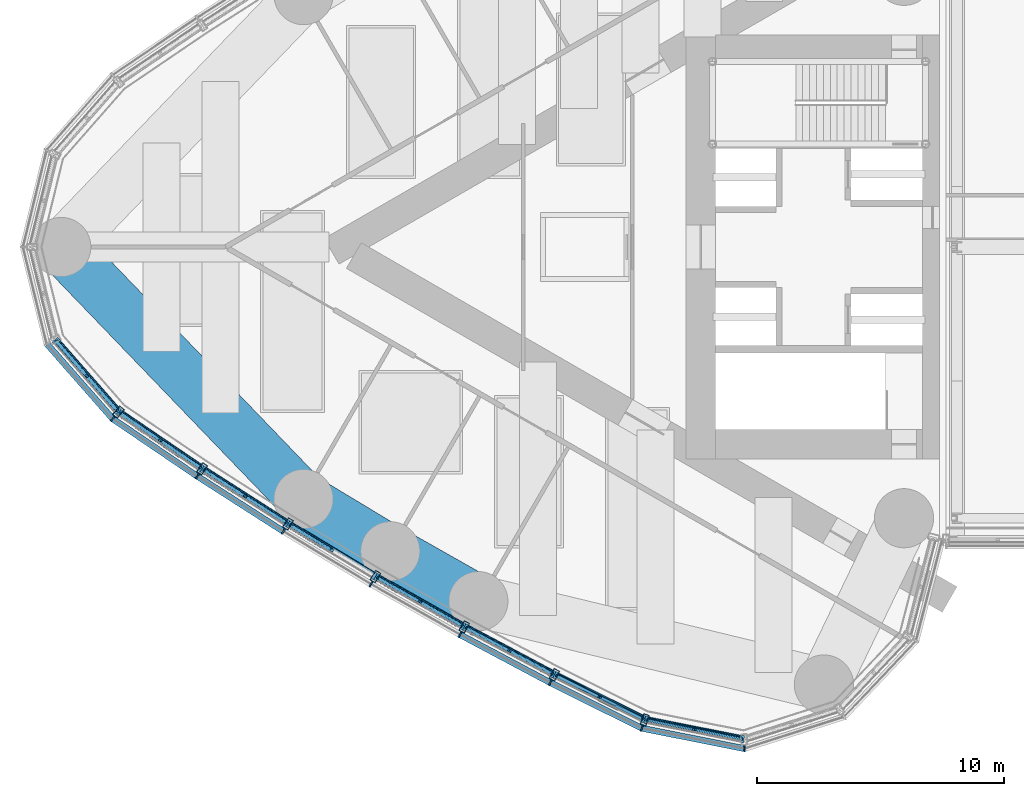
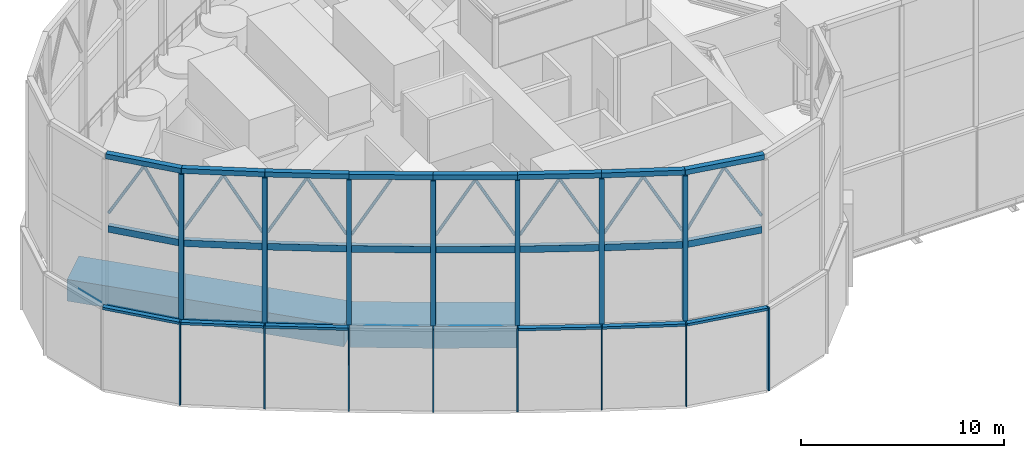
# One storey, part 7 of 33: 52 members, 3 beams, 2 elements without a shape of their own.
"""IFC4 building model written with IfcOpenShell, lengths in metres."""

from ifc_helpers import new_model, si_unit, direction, frame, origin, origin_2d, place, context, subcontext, project, spatial, rectangle, hollow_rectangle, hollow_circle, extrude, material, material_profile, profile_set, type_object, element, aggregate, save


model = new_model("IFC4")

# Units and contexts
model_context = context("Model", 3, precision=1e-05, world=origin(), true_north=direction((0.0, 1.0)))
body_context = subcontext(model_context, "Body", "Model", "MODEL_VIEW")
ifc_project = project(units=[si_unit("LENGTHUNIT", "METRE"), si_unit("AREAUNIT", "SQUARE_METRE"), si_unit("VOLUMEUNIT", "CUBIC_METRE"), si_unit("PLANEANGLEUNIT", "RADIAN"), si_unit("MASSUNIT", "GRAM", prefix="KILO")], contexts=[model_context])

# Site, building, storey
site_placement = place(None, origin())
site = spatial("IfcSite", under=ifc_project, at=site_placement, CompositionType="ELEMENT")
building_placement = place(site_placement, origin())
building = spatial("IfcBuilding", under=site, at=building_placement, Name="Lancet Gate Hotel", CompositionType="ELEMENT")
storey_placement = place(building_placement, frame((0.0, 0.0, 268.300048828125)))
storey = spatial("IfcBuildingStorey", under=building, at=storey_placement, Name="L70", CompositionType="ELEMENT", Elevation=268.300048828125)

# Curtain wall, members
ifc_material_1 = material(Name="Aluminium curtain wall", Category="aluminium")
curtain_wall_type_1 = type_object("IfcCurtainWallType", Name="Lantern crown glazing", PredefinedType="USERDEFINED", material=ifc_material_1)
curtain_wall_1_placement = place(storey_placement, origin())
curtain_wall_1 = element("IfcCurtainWall", 1, at=curtain_wall_1_placement, inside=storey, type_object=curtain_wall_type_1, Name="T1 L70 curtain wall 1", ObjectType="LANTERN GLAZING", PredefinedType="USERDEFINED")
ifc_material_2 = material(Name="Aluminium mullion", Category="aluminium")
ifc_material_profile_1 = material_profile(ifc_material_2, rectangle(XDim=0.06494140625, YDim=0.25, at=origin_2d()), Name="MULLION 65x250")
ifc_profile_set_1 = profile_set([ifc_material_profile_1], Name="Aluminium mullion")
member_type_1 = type_object("IfcMemberType", Name="Aluminium mullion 65x250", PredefinedType="MULLION", material=ifc_profile_set_1)
member_1_placement = place(storey_placement, frame((-61.15283203125, -6.967529296875, 0.0), z_axis=(0.0, 0.0, 1.0), x_axis=(0.750715604757, -0.660625522345, 0.0)))
member_1 = element("IfcMember", 2, at=member_1_placement, type_object=member_type_1, Name="T1 L70 curtain wall 1 mullion 15", PredefinedType="MULLION", context=body_context, shape_type="SweptSolid", body=[
    extrude(rectangle(XDim=0.06494140625, YDim=0.25, at=origin_2d()), origin(), (0.0, 0.0, 1.0), 5.0),
])
member_2_placement = place(storey_placement, frame((-57.72021484375, -9.298095703125, 0.0), z_axis=(0.0, 0.0, 1.0), x_axis=(0.834827178542, -0.550512108829, 0.0)))
member_2 = element("IfcMember", 3, at=member_2_placement, type_object=member_type_1, Name="T1 L70 curtain wall 1 mullion 16", PredefinedType="MULLION", context=body_context, shape_type="SweptSolid", body=[
    extrude(rectangle(XDim=0.06494140625, YDim=0.25, at=origin_2d()), origin(), (0.0, 0.0, 1.0), 5.0),
])
member_3_placement = place(storey_placement, frame((-54.225830078125, -11.535400390625, 0.0), z_axis=(0.0, 0.0, 1.0), x_axis=(0.849342388216, -0.527842313176, 0.0)))
member_3 = element("IfcMember", 4, at=member_3_placement, type_object=member_type_1, Name="T1 L70 curtain wall 1 mullion 17", PredefinedType="MULLION", context=body_context, shape_type="SweptSolid", body=[
    extrude(rectangle(XDim=0.06494140625, YDim=0.25, at=origin_2d()), origin(), (0.0, 0.0, 1.0), 5.0),
])
member_4_placement = place(storey_placement, frame((-50.67236328125, -13.677978515625, 0.0), z_axis=(0.0, 0.0, 1.0), x_axis=(0.863242155108, -0.504790037189, 0.0)))
member_4 = element("IfcMember", 5, at=member_4_placement, type_object=member_type_1, Name="T1 L70 curtain wall 1 mullion 18", PredefinedType="MULLION", context=body_context, shape_type="SweptSolid", body=[
    extrude(rectangle(XDim=0.06494140625, YDim=0.25, at=origin_2d()), origin(), (0.0, 0.0, 1.0), 5.0),
])
member_5_placement = place(storey_placement, frame((-47.062744140625, -15.72412109375, 0.0), z_axis=(0.0, 0.0, 1.0), x_axis=(0.876516407283, -0.481371984815, 0.0)))
member_5 = element("IfcMember", 6, at=member_5_placement, type_object=member_type_1, Name="T1 L70 curtain wall 1 mullion 19", PredefinedType="MULLION", context=body_context, shape_type="SweptSolid", body=[
    extrude(rectangle(XDim=0.06494140625, YDim=0.25, at=origin_2d()), origin(), (0.0, 0.0, 1.0), 5.0),
])
member_6_placement = place(storey_placement, frame((-43.3994140625, -17.67236328125, 0.0), z_axis=(0.0, 0.0, 1.0), x_axis=(0.889155526065, -0.457605125046, 0.0)))
member_6 = element("IfcMember", 7, at=member_6_placement, type_object=member_type_1, Name="T1 L70 curtain wall 1 mullion 20", PredefinedType="MULLION", context=body_context, shape_type="SweptSolid", body=[
    extrude(rectangle(XDim=0.06494140625, YDim=0.25, at=origin_2d()), origin(), (0.0, 0.0, 1.0), 5.0),
])
member_7_placement = place(storey_placement, frame((-39.684814453125, -19.521240234375, 0.0), z_axis=(0.0, 0.0, 1.0), x_axis=(0.946887706423, -0.321564412561, 0.0)))
member_7 = element("IfcMember", 8, at=member_7_placement, type_object=member_type_1, Name="T1 L70 curtain wall 1 mullion 21", PredefinedType="MULLION", context=body_context, shape_type="SweptSolid", body=[
    extrude(rectangle(XDim=0.06494140625, YDim=0.25, at=origin_2d()), origin(), (0.0, 0.0, 1.0), 5.0),
])
member_8_placement = place(storey_placement, frame((-35.520751953125, -20.347900390625, 0.0), z_axis=(0.0, 0.0, 1.0), x_axis=(0.998409168318, 0.056383797491, 0.0)))
member_8 = element("IfcMember", 9, at=member_8_placement, type_object=member_type_1, Name="T1 L70 curtain wall 1 mullion 22", PredefinedType="MULLION", context=body_context, shape_type="SweptSolid", body=[
    extrude(rectangle(XDim=0.06494140625, YDim=0.25, at=origin_2d()), origin(), (0.0, 0.0, 1.0), 5.0),
])
ifc_material_3 = material(Name="Aluminium transom", Category="aluminium")
ifc_material_profile_2 = material_profile(ifc_material_3, rectangle(XDim=0.25, YDim=0.14990234375, at=origin_2d()), Name="TRANSOM 250x150")
ifc_profile_set_2 = profile_set([ifc_material_profile_2], Name="Aluminium transom")
member_type_2 = type_object("IfcMemberType", Name="Aluminium transom 250x150", PredefinedType="USERDEFINED", material=ifc_profile_set_2)
member_9_placement = place(storey_placement, frame((-63.800537109375, -3.952880859375, 4.925048828125), z_axis=(0.659893258593, -0.751359359603, 0.0), x_axis=(0.751359359603, 0.659893258593, 0.0)))
member_9 = element("IfcMember", 10, at=member_9_placement, type_object=member_type_2, Name="T1 L70 curtain wall 1 transom 14", ObjectType="TRANSOM", PredefinedType="USERDEFINED", context=body_context, shape_type="SweptSolid", body=[
    extrude(rectangle(XDim=0.25, YDim=0.14990234375, at=origin_2d()), origin(), (0.0, 0.0, 1.0), 3.979736328125),
])
member_10_placement = place(storey_placement, frame((-61.1259765625, -6.98583984375, 4.925048828125), z_axis=(0.827348780456, -0.561688521761, 0.0), x_axis=(0.561688521761, 0.827348780456, 0.0)))
member_10 = element("IfcMember", 11, at=member_10_placement, type_object=member_type_2, Name="T1 L70 curtain wall 1 transom 15", ObjectType="TRANSOM", PredefinedType="USERDEFINED", context=body_context, shape_type="SweptSolid", body=[
    extrude(rectangle(XDim=0.25, YDim=0.14990234375, at=origin_2d()), origin(), (0.0, 0.0, 1.0), 4.083984375),
])
member_11_placement = place(storey_placement, frame((-57.692626953125, -9.315673828125, 4.925048828125), z_axis=(0.842144358733, -0.539252147937, 0.0), x_axis=(0.539252147937, 0.842144358733, 0.0)))
member_11 = element("IfcMember", 12, at=member_11_placement, type_object=member_type_2, Name="T1 L70 curtain wall 1 transom 16", ObjectType="TRANSOM", PredefinedType="USERDEFINED", context=body_context, shape_type="SweptSolid", body=[
    extrude(rectangle(XDim=0.25, YDim=0.14990234375, at=origin_2d()), origin(), (0.0, 0.0, 1.0), 4.084228515625),
])
member_12_placement = place(storey_placement, frame((-47.0341796875, -15.739501953125, 4.925048828125), z_axis=(0.882944619844, -0.469477154171, 0.0), x_axis=(0.469477154171, 0.882944619844, 0.0)))
member_12 = element("IfcMember", 13, at=member_12_placement, type_object=member_type_2, Name="T1 L70 curtain wall 1 transom 19", ObjectType="TRANSOM", PredefinedType="USERDEFINED", context=body_context, shape_type="SweptSolid", body=[
    extrude(rectangle(XDim=0.25, YDim=0.14990234375, at=origin_2d()), origin(), (0.0, 0.0, 1.0), 4.084228515625),
])
member_13_placement = place(storey_placement, frame((-43.370361328125, -17.686767578125, 4.925048828125), z_axis=(0.895226720479, -0.445610950202, 0.0), x_axis=(0.445610950202, 0.895226720479, 0.0)))
member_13 = element("IfcMember", 14, at=member_13_placement, type_object=member_type_2, Name="T1 L70 curtain wall 1 transom 20", ObjectType="TRANSOM", PredefinedType="USERDEFINED", context=body_context, shape_type="SweptSolid", body=[
    extrude(rectangle(XDim=0.25, YDim=0.14990234375, at=origin_2d()), origin(), (0.0, 0.0, 1.0), 4.08447265625),
])
member_14_placement = place(storey_placement, frame((-39.65283203125, -19.527587890625, 4.925048828125), z_axis=(0.980858234867, -0.194723196085, 0.0), x_axis=(0.194723196085, 0.980858234867, 0.0)))
member_14 = element("IfcMember", 15, at=member_14_placement, type_object=member_type_2, Name="T1 L70 curtain wall 1 transom 21", ObjectType="TRANSOM", PredefinedType="USERDEFINED", context=body_context, shape_type="SweptSolid", body=[
    extrude(rectangle(XDim=0.25, YDim=0.14990234375, at=origin_2d()), origin(), (0.0, 0.0, 1.0), 4.18017578125),
])
aggregate(curtain_wall_1, [member_1, member_2, member_3, member_4, member_5, member_6, member_7, member_8, member_9, member_10, member_11, member_12, member_13, member_14])

# Beams
ifc_material_4 = material(Name="Concrete C50/60", Category="concrete")
ifc_material_profile_3 = material_profile(ifc_material_4, rectangle(XDim=2.10009765625, YDim=1.300048828125, at=origin_2d()), Name="RC 2100x1300")
ifc_profile_set_3 = profile_set([ifc_material_profile_3], Name="Concrete C50/60")
beam_type = type_object("IfcBeamType", Name="Edge beam RC 2100x1300", PredefinedType="SPANDREL", material=ifc_profile_set_3)
beam_placement = place(storey_placement, frame((-63.234375, 0.0, 4.050048828125), z_axis=(0.693134527053, -0.720808245934, 0.0), x_axis=(0.720808245934, 0.693134527053, 0.0)))
element("IfcBeam", 16, at=beam_placement, inside=storey, type_object=beam_type, Name="T1 edge beam EB1 L70", PredefinedType="SPANDREL", context=body_context, shape_type="SweptSolid", body=[
    extrude(rectangle(XDim=2.10009765625, YDim=1.300048828125, at=origin_2d()), origin(), (0.0, 0.0, 1.0), 14.17724609375),
])
for number, where, z_axis, x_axis, name in (
    (17, (-53.40771484375, -10.218994140625, 4.050048828125), (0.856358061538, -0.516382484636, 0.0), (0.516382484636, 0.856358061538, 0.0), "T1 edge beam EB1 L70"),
    (18, (-49.89013671875, -12.340087890625, 4.050048828125), (0.869978841992, -0.493089053301, 0.0), (0.493089053301, 0.869978841992, 0.0), "T1 edge beam EB1 L70"),
):
    element("IfcBeam", number, at=place(storey_placement, frame(where, z_axis=z_axis, x_axis=x_axis)), inside=storey, type_object=beam_type, Name=name, PredefinedType="SPANDREL", context=body_context, shape_type="SweptSolid", body=[
        extrude(rectangle(XDim=2.10009765625, YDim=1.300048828125, at=origin_2d()), origin(), (0.0, 0.0, 1.0), 4.107666015625),
    ])

# Curtain wall, members
ifc_material_5 = material(Name="Steel framed lantern screen", Category="steel")
curtain_wall_type_2 = type_object("IfcCurtainWallType", Name="Lantern screen", PredefinedType="USERDEFINED", material=ifc_material_5)
curtain_wall_2_placement = place(storey_placement, origin())
curtain_wall_2 = element("IfcCurtainWall", 19, at=curtain_wall_2_placement, inside=storey, type_object=curtain_wall_type_2, Name="T1 lantern screen 1", ObjectType="LANTERN SCREEN", PredefinedType="USERDEFINED")
ifc_material_6 = material(Name="Steel S355", Category="steel")
ifc_material_profile_4 = material_profile(ifc_material_6, hollow_rectangle(XDim=0.300048828125, YDim=0.300048828125, WallThickness=0.012451171875, at=origin_2d()), Name="RHS 300x300x12.5")
ifc_profile_set_4 = profile_set([ifc_material_profile_4], Name="Steel S355")
member_type_3 = type_object("IfcMemberType", Name="Lantern cap beam RHS 300x300x12.5", PredefinedType="USERDEFINED", material=ifc_profile_set_4)
member_15_placement = place(storey_placement, frame((-63.493408203125, -3.75732421875, 13.849853515625), z_axis=(0.659895747714, -0.751357173486, 0.0), x_axis=(0.751357173486, 0.659895747714, 0.0)))
member_15 = element("IfcMember", 20, at=member_15_placement, type_object=member_type_3, Name="T1 lantern screen 1 cap 14", ObjectType="LANTERN FRAME", PredefinedType="USERDEFINED", context=body_context, shape_type="SweptSolid", body=[
    extrude(hollow_rectangle(XDim=0.300048828125, YDim=0.300048828125, WallThickness=0.012451171875, at=origin_2d()), origin(), (0.0, 0.0, 1.0), 3.91064453125),
])
member_16_placement = place(storey_placement, frame((-60.912841796875, -6.695556640625, 13.849853515625), z_axis=(0.827356149057, -0.5616776679, 0.0), x_axis=(0.5616776679, 0.827356149057, 0.0)))
member_16 = element("IfcMember", 21, at=member_16_placement, type_object=member_type_3, Name="T1 lantern screen 1 cap 15", ObjectType="LANTERN FRAME", PredefinedType="USERDEFINED", context=body_context, shape_type="SweptSolid", body=[
    extrude(hollow_rectangle(XDim=0.300048828125, YDim=0.300048828125, WallThickness=0.012451171875, at=origin_2d()), origin(), (0.0, 0.0, 1.0), 4.098388671875),
])
member_17_placement = place(storey_placement, frame((-57.52197265625, -8.99755859375, 13.849853515625), z_axis=(0.842169634571, -0.539212672891, 0.0), x_axis=(0.539212672891, 0.842169634571, 0.0)))
member_17 = element("IfcMember", 22, at=member_17_placement, type_object=member_type_3, Name="T1 lantern screen 1 cap 16", ObjectType="LANTERN FRAME", PredefinedType="USERDEFINED", context=body_context, shape_type="SweptSolid", body=[
    extrude(hollow_rectangle(XDim=0.300048828125, YDim=0.300048828125, WallThickness=0.012451171875, at=origin_2d()), origin(), (0.0, 0.0, 1.0), 4.1396484375),
])
member_18_placement = place(storey_placement, frame((-54.03564453125, -11.229736328125, 13.849853515625), z_axis=(0.856372035727, -0.516359309421, 0.0), x_axis=(0.516359309421, 0.856372035727, 0.0)))
member_18 = element("IfcMember", 23, at=member_18_placement, type_object=member_type_3, Name="T1 lantern screen 1 cap 17", ObjectType="LANTERN FRAME", PredefinedType="USERDEFINED", context=body_context, shape_type="SweptSolid", body=[
    extrude(hollow_rectangle(XDim=0.300048828125, YDim=0.300048828125, WallThickness=0.012451171875, at=origin_2d()), origin(), (0.0, 0.0, 1.0), 4.139404296875),
])
member_19_placement = place(storey_placement, frame((-50.49072265625, -13.3671875, 13.849853515625), z_axis=(0.869969056897, -0.493106317179, 0.0), x_axis=(0.493106317179, 0.869969056897, 0.0)))
member_19 = element("IfcMember", 24, at=member_19_placement, type_object=member_type_3, Name="T1 lantern screen 1 cap 18", ObjectType="LANTERN FRAME", PredefinedType="USERDEFINED", context=body_context, shape_type="SweptSolid", body=[
    extrude(hollow_rectangle(XDim=0.300048828125, YDim=0.300048828125, WallThickness=0.012451171875, at=origin_2d()), origin(), (0.0, 0.0, 1.0), 4.1396484375),
])
member_20_placement = place(storey_placement, frame((-46.889404296875, -15.408447265625, 13.849853515625), z_axis=(0.882891118076, -0.469577760997, 0.0), x_axis=(0.469577760997, 0.882891118076, 0.0)))
member_20 = element("IfcMember", 25, at=member_20_placement, type_object=member_type_3, Name="T1 lantern screen 1 cap 19", ObjectType="LANTERN FRAME", PredefinedType="USERDEFINED", context=body_context, shape_type="SweptSolid", body=[
    extrude(hollow_rectangle(XDim=0.300048828125, YDim=0.300048828125, WallThickness=0.012451171875, at=origin_2d()), origin(), (0.0, 0.0, 1.0), 4.1396484375),
])
member_21_placement = place(storey_placement, frame((-43.234619140625, -17.352294921875, 13.849853515625), z_axis=(0.895248155205, -0.445567885515, 0.0), x_axis=(0.445567885515, 0.895248155205, 0.0)))
member_21 = element("IfcMember", 26, at=member_21_placement, type_object=member_type_3, Name="T1 lantern screen 1 cap 20", ObjectType="LANTERN FRAME", PredefinedType="USERDEFINED", context=body_context, shape_type="SweptSolid", body=[
    extrude(hollow_rectangle(XDim=0.300048828125, YDim=0.300048828125, WallThickness=0.012451171875, at=origin_2d()), origin(), (0.0, 0.0, 1.0), 4.096435546875),
])
member_22_placement = place(storey_placement, frame((-39.5673828125, -19.177490234375, 13.849853515625), z_axis=(0.980851990108, -0.1947546495, 0.0), x_axis=(0.1947546495, 0.980851990108, 0.0)))
member_22 = element("IfcMember", 27, at=member_22_placement, type_object=member_type_3, Name="T1 lantern screen 1 cap 21", ObjectType="LANTERN FRAME", PredefinedType="USERDEFINED", context=body_context, shape_type="SweptSolid", body=[
    extrude(hollow_rectangle(XDim=0.300048828125, YDim=0.300048828125, WallThickness=0.012451171875, at=origin_2d()), origin(), (0.0, 0.0, 1.0), 4.104248046875),
])
ifc_material_7 = material(Name="Steel S355", Category="steel")
ifc_material_profile_5 = material_profile(ifc_material_7, hollow_rectangle(XDim=0.25, YDim=0.449951171875, WallThickness=0.01611328125, at=origin_2d()), Name="RHS 450x250x16")
ifc_profile_set_5 = profile_set([ifc_material_profile_5], Name="Steel S355")
member_type_4 = type_object("IfcMemberType", Name="Lantern frame post RHS 450x250x16", PredefinedType="USERDEFINED", material=ifc_profile_set_5)
member_23_placement = place(storey_placement, frame((-60.912841796875, -6.695556640625, 5.0), z_axis=(0.0, 0.0, 1.0), x_axis=(0.749639221779, -0.661846687059, 0.0)))
member_23 = element("IfcMember", 28, at=member_23_placement, type_object=member_type_4, Name="T1 lantern screen 1 frame post 15", ObjectType="LANTERN FRAME", PredefinedType="USERDEFINED", context=body_context, shape_type="SweptSolid", body=[
    extrude(hollow_rectangle(XDim=0.25, YDim=0.449951171875, WallThickness=0.01611328125, at=origin_2d()), origin(), (0.0, 0.0, 1.0), 8.699951171875),
])
member_24_placement = place(storey_placement, frame((-57.52197265625, -8.99755859375, 5.0), z_axis=(0.0, 0.0, 1.0), x_axis=(0.834827178542, -0.550512108829, 0.0)))
member_24 = element("IfcMember", 29, at=member_24_placement, type_object=member_type_4, Name="T1 lantern screen 1 frame post 16", ObjectType="LANTERN FRAME", PredefinedType="USERDEFINED", context=body_context, shape_type="SweptSolid", body=[
    extrude(hollow_rectangle(XDim=0.25, YDim=0.449951171875, WallThickness=0.01611328125, at=origin_2d()), origin(), (0.0, 0.0, 1.0), 8.699951171875),
])
member_25_placement = place(storey_placement, frame((-54.03564453125, -11.229736328125, 5.0), z_axis=(0.0, 0.0, 1.0), x_axis=(0.849342388216, -0.527842313176, 0.0)))
member_25 = element("IfcMember", 30, at=member_25_placement, type_object=member_type_4, Name="T1 lantern screen 1 frame post 17", ObjectType="LANTERN FRAME", PredefinedType="USERDEFINED", context=body_context, shape_type="SweptSolid", body=[
    extrude(hollow_rectangle(XDim=0.25, YDim=0.449951171875, WallThickness=0.01611328125, at=origin_2d()), origin(), (0.0, 0.0, 1.0), 8.699951171875),
])
member_26_placement = place(storey_placement, frame((-50.49072265625, -13.3671875, 5.0), z_axis=(0.0, 0.0, 1.0), x_axis=(0.863242155108, -0.504790037189, 0.0)))
member_26 = element("IfcMember", 31, at=member_26_placement, type_object=member_type_4, Name="T1 lantern screen 1 frame post 18", ObjectType="LANTERN FRAME", PredefinedType="USERDEFINED", context=body_context, shape_type="SweptSolid", body=[
    extrude(hollow_rectangle(XDim=0.25, YDim=0.449951171875, WallThickness=0.01611328125, at=origin_2d()), origin(), (0.0, 0.0, 1.0), 8.699951171875),
])
member_27_placement = place(storey_placement, frame((-46.889404296875, -15.408447265625, 5.0), z_axis=(0.0, 0.0, 1.0), x_axis=(0.876516407283, -0.481371984815, 0.0)))
member_27 = element("IfcMember", 32, at=member_27_placement, type_object=member_type_4, Name="T1 lantern screen 1 frame post 19", ObjectType="LANTERN FRAME", PredefinedType="USERDEFINED", context=body_context, shape_type="SweptSolid", body=[
    extrude(hollow_rectangle(XDim=0.25, YDim=0.449951171875, WallThickness=0.01611328125, at=origin_2d()), origin(), (0.0, 0.0, 1.0), 8.699951171875),
])
member_28_placement = place(storey_placement, frame((-43.234619140625, -17.352294921875, 5.0), z_axis=(0.0, 0.0, 1.0), x_axis=(0.889155526065, -0.457605125046, 0.0)))
member_28 = element("IfcMember", 33, at=member_28_placement, type_object=member_type_4, Name="T1 lantern screen 1 frame post 20", ObjectType="LANTERN FRAME", PredefinedType="USERDEFINED", context=body_context, shape_type="SweptSolid", body=[
    extrude(hollow_rectangle(XDim=0.25, YDim=0.449951171875, WallThickness=0.01611328125, at=origin_2d()), origin(), (0.0, 0.0, 1.0), 8.699951171875),
])
member_29_placement = place(storey_placement, frame((-39.5673828125, -19.177490234375, 5.0), z_axis=(0.0, 0.0, 1.0), x_axis=(0.946394410154, -0.323013344041, 0.0)))
member_29 = element("IfcMember", 34, at=member_29_placement, type_object=member_type_4, Name="T1 lantern screen 1 frame post 21", ObjectType="LANTERN FRAME", PredefinedType="USERDEFINED", context=body_context, shape_type="SweptSolid", body=[
    extrude(hollow_rectangle(XDim=0.25, YDim=0.449951171875, WallThickness=0.01611328125, at=origin_2d()), origin(), (0.0, 0.0, 1.0), 8.699951171875),
])
ifc_material_8 = material(Name="Steel S355", Category="steel")
ifc_material_profile_6 = material_profile(ifc_material_8, hollow_circle(Radius=0.084228515625, WallThickness=0.008056640625, at=origin_2d()), Name="CHS 168.3x8.0")
ifc_profile_set_6 = profile_set([ifc_material_profile_6], Name="Steel S355")
member_type_5 = type_object("IfcMemberType", Name="Lantern lancet head CHS 168.3x8", PredefinedType="USERDEFINED", material=ifc_profile_set_6)
member_30_placement = place(storey_placement, frame((-63.410888671875, -3.85107421875, 10.405517578125), z_axis=(0.326835822652, -0.372158113806, 0.868721292107), x_axis=(0.75137731353, 0.659872815557, 0.0)))
member_30 = element("IfcMember", 35, at=member_30_placement, type_object=member_type_5, Name="T1 lantern screen 1 lancet head 14A", ObjectType="LANTERN FRAME", PredefinedType="USERDEFINED", context=body_context, shape_type="SweptSolid", body=[
    extrude(hollow_circle(Radius=0.084228515625, WallThickness=0.008056640625, at=origin_2d()), origin(), (0.0, 0.0, 1.0), 3.6953125),
])
member_31_placement = place(storey_placement, frame((-60.9951171875, -6.6015625, 10.405517578125), z_axis=(-0.326894830783, 0.372150077163, 0.868702532329), x_axis=(-0.751311179774, -0.659948112466, 0.0)))
member_31 = element("IfcMember", 36, at=member_31_placement, type_object=member_type_5, Name="T1 lantern screen 1 lancet head 14B", ObjectType="LANTERN FRAME", PredefinedType="USERDEFINED", context=body_context, shape_type="SweptSolid", body=[
    extrude(hollow_circle(Radius=0.084228515625, WallThickness=0.008056640625, at=origin_2d()), origin(), (0.0, 0.0, 1.0), 3.6953125),
])
member_32_placement = place(storey_placement, frame((-60.809326171875, -6.765625, 10.300048828125), z_axis=(0.415286864406, -0.281931444369, 0.864899694142), x_axis=(0.561678255687, 0.827355750019, 0.0)))
member_32 = element("IfcMember", 37, at=member_32_placement, type_object=member_type_5, Name="T1 lantern screen 1 lancet head 15A", ObjectType="LANTERN FRAME", PredefinedType="USERDEFINED", context=body_context, shape_type="SweptSolid", body=[
    extrude(hollow_circle(Radius=0.084228515625, WallThickness=0.008056640625, at=origin_2d()), origin(), (0.0, 0.0, 1.0), 3.83349609375),
])
member_33_placement = place(storey_placement, frame((-57.625244140625, -8.92724609375, 10.300048828125), z_axis=(-0.415286864406, 0.281931444369, 0.864899694142), x_axis=(-0.561678255687, -0.827355750019, 0.0)))
member_33 = element("IfcMember", 38, at=member_33_placement, type_object=member_type_5, Name="T1 lantern screen 1 lancet head 15B", ObjectType="LANTERN FRAME", PredefinedType="USERDEFINED", context=body_context, shape_type="SweptSolid", body=[
    extrude(hollow_circle(Radius=0.084228515625, WallThickness=0.008056640625, at=origin_2d()), origin(), (0.0, 0.0, 1.0), 3.83349609375),
])
member_34_placement = place(storey_placement, frame((-57.41650390625, -9.06494140625, 10.300048828125), z_axis=(0.42604738896, -0.272853247312, 0.862574476664), x_axis=(0.539310161718, 0.842107207823, 0.0)))
member_34 = element("IfcMember", 39, at=member_34_placement, type_object=member_type_5, Name="T1 lantern screen 1 lancet head 16A", ObjectType="LANTERN FRAME", PredefinedType="USERDEFINED", context=body_context, shape_type="SweptSolid", body=[
    extrude(hollow_circle(Radius=0.084228515625, WallThickness=0.008056640625, at=origin_2d()), origin(), (0.0, 0.0, 1.0), 3.843994140625),
])
member_35_placement = place(storey_placement, frame((-54.140869140625, -11.162353515625, 10.300048828125), z_axis=(-0.426106754624, 0.272787078716, 0.86256608057), x_axis=(-0.53916412091, -0.842200718786, 0.0)))
member_35 = element("IfcMember", 40, at=member_35_placement, type_object=member_type_5, Name="T1 lantern screen 1 lancet head 16B", ObjectType="LANTERN FRAME", PredefinedType="USERDEFINED", context=body_context, shape_type="SweptSolid", body=[
    extrude(hollow_circle(Radius=0.084228515625, WallThickness=0.008056640625, at=origin_2d()), origin(), (0.0, 0.0, 1.0), 3.843994140625),
])
member_36_placement = place(storey_placement, frame((-53.9287109375, -11.294189453125, 10.300048828125), z_axis=(0.433277596095, -0.261287603391, 0.862553947899), x_axis=(0.516414276541, 0.856338890268, 0.0)))
member_36 = element("IfcMember", 41, at=member_36_placement, type_object=member_type_5, Name="T1 lantern screen 1 lancet head 17A", ObjectType="LANTERN FRAME", PredefinedType="USERDEFINED", context=body_context, shape_type="SweptSolid", body=[
    extrude(hollow_circle(Radius=0.084228515625, WallThickness=0.008056640625, at=origin_2d()), origin(), (0.0, 0.0, 1.0), 3.843994140625),
])
member_37_placement = place(storey_placement, frame((-50.382080078125, -13.428955078125, 10.300048828125), z_axis=(0.440146278406, -0.249479737601, 0.862572381967), x_axis=(0.493107592506, 0.869968334029, 0.0)))
member_37 = element("IfcMember", 42, at=member_37_placement, type_object=member_type_5, Name="T1 lantern screen 1 lancet head 18A", ObjectType="LANTERN FRAME", PredefinedType="USERDEFINED", context=body_context, shape_type="SweptSolid", body=[
    extrude(hollow_circle(Radius=0.084228515625, WallThickness=0.008056640625, at=origin_2d()), origin(), (0.0, 0.0, 1.0), 3.843994140625),
])
member_38_placement = place(storey_placement, frame((-46.998291015625, -15.346923828125, 10.300048828125), z_axis=(-0.440146278406, 0.249479737601, 0.862572381967), x_axis=(-0.493107592506, -0.869968334029, 0.0)))
member_38 = element("IfcMember", 43, at=member_38_placement, type_object=member_type_5, Name="T1 lantern screen 1 lancet head 18B", ObjectType="LANTERN FRAME", PredefinedType="USERDEFINED", context=body_context, shape_type="SweptSolid", body=[
    extrude(hollow_circle(Radius=0.084228515625, WallThickness=0.008056640625, at=origin_2d()), origin(), (0.0, 0.0, 1.0), 3.843994140625),
])
member_39_placement = place(storey_placement, frame((-46.779052734375, -15.46728515625, 10.300048828125), z_axis=(0.446691193835, -0.237540887949, 0.862578288564), x_axis=(0.469519280525, 0.882922219233, 0.0)))
member_39 = element("IfcMember", 44, at=member_39_placement, type_object=member_type_5, Name="T1 lantern screen 1 lancet head 19A", ObjectType="LANTERN FRAME", PredefinedType="USERDEFINED", context=body_context, shape_type="SweptSolid", body=[
    extrude(hollow_circle(Radius=0.084228515625, WallThickness=0.008056640625, at=origin_2d()), origin(), (0.0, 0.0, 1.0), 3.843994140625),
])
member_40_placement = place(storey_placement, frame((-43.344970703125, -17.29345703125, 10.300048828125), z_axis=(-0.446691193835, 0.237540887949, 0.862578288564), x_axis=(-0.469519280525, -0.882922219233, 0.0)))
member_40 = element("IfcMember", 45, at=member_40_placement, type_object=member_type_5, Name="T1 lantern screen 1 lancet head 19B", ObjectType="LANTERN FRAME", PredefinedType="USERDEFINED", context=body_context, shape_type="SweptSolid", body=[
    extrude(hollow_circle(Radius=0.084228515625, WallThickness=0.008056640625, at=origin_2d()), origin(), (0.0, 0.0, 1.0), 3.843994140625),
])
member_41_placement = place(storey_placement, frame((-43.122802734375, -17.407958984375, 10.300048828125), z_axis=(0.449167997465, -0.223564899476, 0.865024187971), x_axis=(0.44558792147, 0.895238182966, 0.0)))
member_41 = element("IfcMember", 46, at=member_41_placement, type_object=member_type_5, Name="T1 lantern screen 1 lancet head 20A", ObjectType="LANTERN FRAME", PredefinedType="USERDEFINED", context=body_context, shape_type="SweptSolid", body=[
    extrude(hollow_circle(Radius=0.084228515625, WallThickness=0.008056640625, at=origin_2d()), origin(), (0.0, 0.0, 1.0), 3.8330078125),
])
member_42_placement = place(storey_placement, frame((-39.679443359375, -19.121826171875, 10.300048828125), z_axis=(-0.449167997465, 0.223564899476, 0.865024187971), x_axis=(-0.44558792147, -0.895238182966, 0.0)))
member_42 = element("IfcMember", 47, at=member_42_placement, type_object=member_type_5, Name="T1 lantern screen 1 lancet head 20B", ObjectType="LANTERN FRAME", PredefinedType="USERDEFINED", context=body_context, shape_type="SweptSolid", body=[
    extrude(hollow_circle(Radius=0.084228515625, WallThickness=0.008056640625, at=origin_2d()), origin(), (0.0, 0.0, 1.0), 3.8330078125),
])
member_43_placement = place(storey_placement, frame((-39.44482421875, -19.201904296875, 10.300048828125), z_axis=(0.492866649264, -0.09784758976, 0.864585632093), x_axis=(0.194727187929, 0.980857442385, 0.0)))
member_43 = element("IfcMember", 48, at=member_43_placement, type_object=member_type_5, Name="T1 lantern screen 1 lancet head 21A", ObjectType="LANTERN FRAME", PredefinedType="USERDEFINED", context=body_context, shape_type="SweptSolid", body=[
    extrude(hollow_circle(Radius=0.084228515625, WallThickness=0.008056640625, at=origin_2d()), origin(), (0.0, 0.0, 1.0), 3.8349609375),
])
member_44_placement = place(storey_placement, frame((-35.664306640625, -19.952392578125, 10.300048828125), z_axis=(-0.492914843935, 0.097844519583, 0.864558503871), x_axis=(-0.194702992557, -0.980862245521, 0.0)))
member_44 = element("IfcMember", 49, at=member_44_placement, type_object=member_type_5, Name="T1 lantern screen 1 lancet head 21B", ObjectType="LANTERN FRAME", PredefinedType="USERDEFINED", context=body_context, shape_type="SweptSolid", body=[
    extrude(hollow_circle(Radius=0.084228515625, WallThickness=0.008056640625, at=origin_2d()), origin(), (0.0, 0.0, 1.0), 3.835205078125),
])
ifc_material_9 = material(Name="Steel S355", Category="steel")
ifc_material_profile_7 = material_profile(ifc_material_9, hollow_rectangle(XDim=0.25, YDim=0.39990234375, WallThickness=0.012451171875, at=origin_2d()), Name="RHS 400x250x12.5")
ifc_profile_set_7 = profile_set([ifc_material_profile_7], Name="Steel S355")
member_type_6 = type_object("IfcMemberType", Name="Lantern ring beam RHS 400x250x12.5", PredefinedType="USERDEFINED", material=ifc_profile_set_7)
member_45_placement = place(storey_placement, frame((-63.410888671875, -3.85107421875, 9.5), z_axis=(0.659910466497, -0.75134424614, 0.0), x_axis=(0.75134424614, 0.659910466497, 0.0)))
member_45 = element("IfcMember", 50, at=member_45_placement, type_object=member_type_6, Name="T1 lantern screen 1 ring 14", ObjectType="LANTERN FRAME", PredefinedType="USERDEFINED", context=body_context, shape_type="SweptSolid", body=[
    extrude(hollow_rectangle(XDim=0.25, YDim=0.39990234375, WallThickness=0.012451171875, at=origin_2d()), origin(), (0.0, 0.0, 1.0), 3.66064453125),
])
member_46_placement = place(storey_placement, frame((-60.809326171875, -6.765625, 9.5), z_axis=(0.827355750019, -0.561678255687, 0.0), x_axis=(0.561678255687, 0.827355750019, 0.0)))
member_46 = element("IfcMember", 51, at=member_46_placement, type_object=member_type_6, Name="T1 lantern screen 1 ring 15", ObjectType="LANTERN FRAME", PredefinedType="USERDEFINED", context=body_context, shape_type="SweptSolid", body=[
    extrude(hollow_rectangle(XDim=0.25, YDim=0.39990234375, WallThickness=0.012451171875, at=origin_2d()), origin(), (0.0, 0.0, 1.0), 3.848388671875),
])
member_47_placement = place(storey_placement, frame((-57.41650390625, -9.06494140625, 9.5), z_axis=(0.842153967359, -0.539237141953, 0.0), x_axis=(0.539237141953, 0.842153967359, 0.0)))
member_47 = element("IfcMember", 52, at=member_47_placement, type_object=member_type_6, Name="T1 lantern screen 1 ring 16", ObjectType="LANTERN FRAME", PredefinedType="USERDEFINED", context=body_context, shape_type="SweptSolid", body=[
    extrude(hollow_rectangle(XDim=0.25, YDim=0.39990234375, WallThickness=0.012451171875, at=origin_2d()), origin(), (0.0, 0.0, 1.0), 3.8896484375),
])
member_48_placement = place(storey_placement, frame((-53.9287109375, -11.294189453125, 9.5), z_axis=(0.856366645354, -0.516368249145, 0.0), x_axis=(0.516368249145, 0.856366645354, 0.0)))
member_48 = element("IfcMember", 53, at=member_48_placement, type_object=member_type_6, Name="T1 lantern screen 1 ring 17", ObjectType="LANTERN FRAME", PredefinedType="USERDEFINED", context=body_context, shape_type="SweptSolid", body=[
    extrude(hollow_rectangle(XDim=0.25, YDim=0.39990234375, WallThickness=0.012451171875, at=origin_2d()), origin(), (0.0, 0.0, 1.0), 3.8896484375),
])
member_49_placement = place(storey_placement, frame((-50.382080078125, -13.428955078125, 9.5), z_axis=(0.869968334029, -0.493107592506, 0.0), x_axis=(0.493107592506, 0.869968334029, 0.0)))
member_49 = element("IfcMember", 54, at=member_49_placement, type_object=member_type_6, Name="T1 lantern screen 1 ring 18", ObjectType="LANTERN FRAME", PredefinedType="USERDEFINED", context=body_context, shape_type="SweptSolid", body=[
    extrude(hollow_rectangle(XDim=0.25, YDim=0.39990234375, WallThickness=0.012451171875, at=origin_2d()), origin(), (0.0, 0.0, 1.0), 3.8896484375),
])
member_50_placement = place(storey_placement, frame((-46.779052734375, -15.46728515625, 9.5), z_axis=(0.882922219233, -0.469519280525, 0.0), x_axis=(0.469519280525, 0.882922219233, 0.0)))
member_50 = element("IfcMember", 55, at=member_50_placement, type_object=member_type_6, Name="T1 lantern screen 1 ring 19", ObjectType="LANTERN FRAME", PredefinedType="USERDEFINED", context=body_context, shape_type="SweptSolid", body=[
    extrude(hollow_rectangle(XDim=0.25, YDim=0.39990234375, WallThickness=0.012451171875, at=origin_2d()), origin(), (0.0, 0.0, 1.0), 3.889404296875),
])
member_51_placement = place(storey_placement, frame((-43.122802734375, -17.407958984375, 9.5), z_axis=(0.895238182966, -0.44558792147, 0.0), x_axis=(0.44558792147, 0.895238182966, 0.0)))
member_51 = element("IfcMember", 56, at=member_51_placement, type_object=member_type_6, Name="T1 lantern screen 1 ring 20", ObjectType="LANTERN FRAME", PredefinedType="USERDEFINED", context=body_context, shape_type="SweptSolid", body=[
    extrude(hollow_rectangle(XDim=0.25, YDim=0.39990234375, WallThickness=0.012451171875, at=origin_2d()), origin(), (0.0, 0.0, 1.0), 3.84619140625),
])
member_52_placement = place(storey_placement, frame((-39.44482421875, -19.201904296875, 9.5), z_axis=(0.980859844177, -0.194715089506, 0.0), x_axis=(0.194715089506, 0.980859844177, 0.0)))
member_52 = element("IfcMember", 57, at=member_52_placement, type_object=member_type_6, Name="T1 lantern screen 1 ring 21", ObjectType="LANTERN FRAME", PredefinedType="USERDEFINED", context=body_context, shape_type="SweptSolid", body=[
    extrude(hollow_rectangle(XDim=0.25, YDim=0.39990234375, WallThickness=0.012451171875, at=origin_2d()), origin(), (0.0, 0.0, 1.0), 3.854248046875),
])
aggregate(curtain_wall_2, [member_23, member_24, member_25, member_26, member_27, member_28, member_29, member_15, member_45, member_30, member_31, member_16, member_46, member_32, member_33, member_17, member_47, member_34, member_35, member_18, member_48, member_36, member_19, member_49, member_37, member_38, member_20, member_50, member_39, member_40, member_21, member_51, member_41, member_42, member_22, member_52, member_43, member_44])

save(model, "model.ifc")
